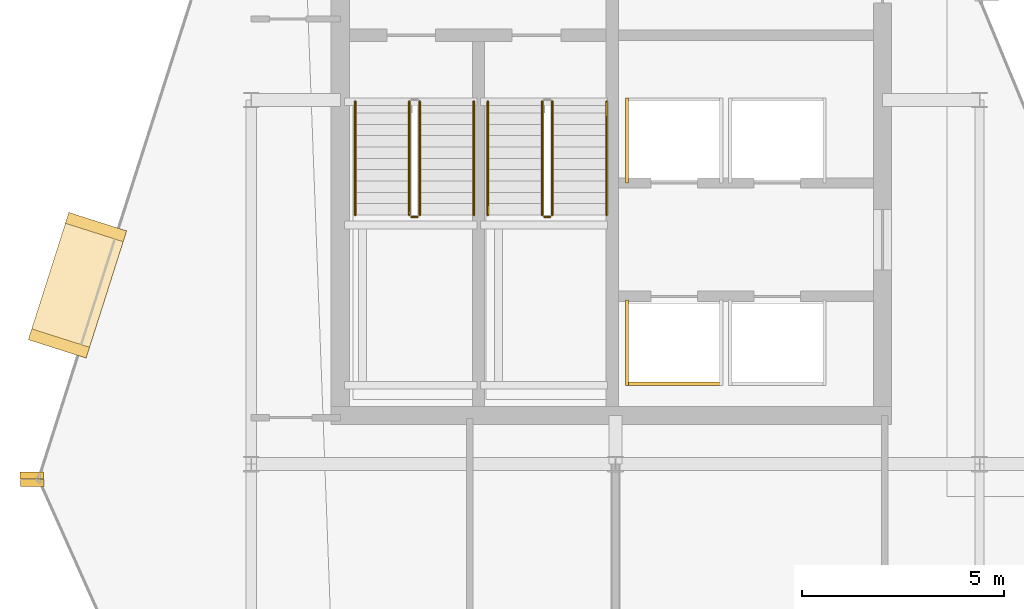
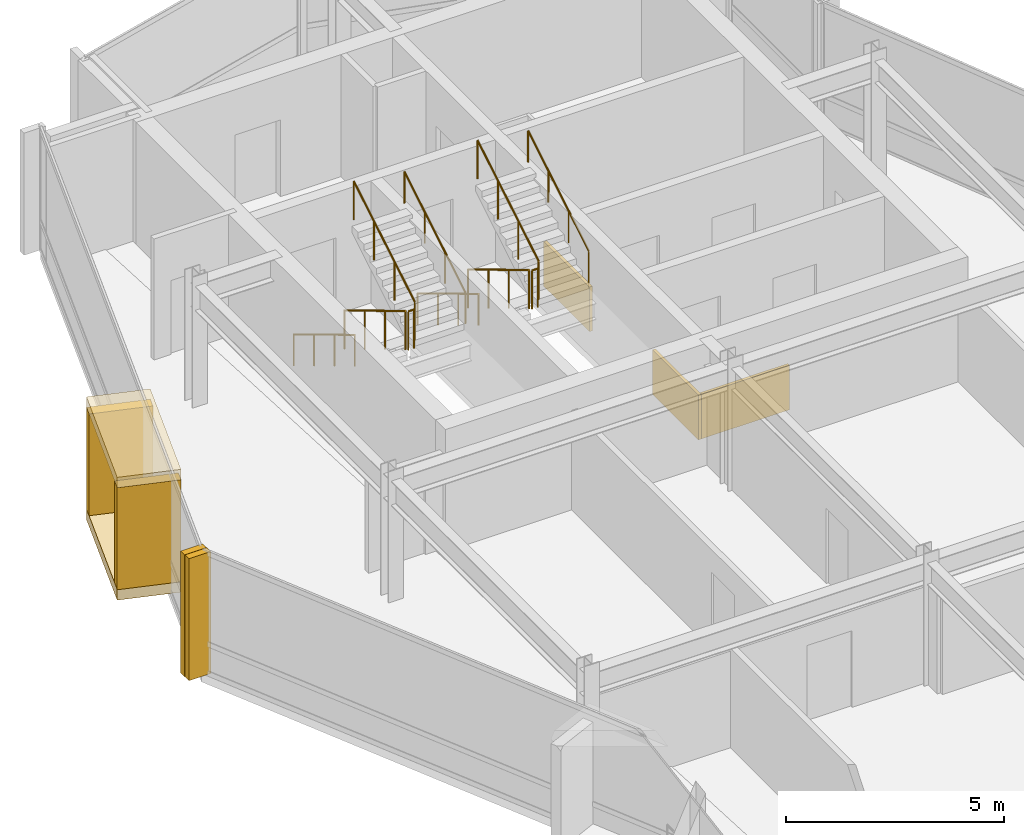
# One storey, part 17 of 19: 10 railings, 9 coverings.
"""IFC4 building model written with IfcOpenShell, lengths in metres."""

import ifcopenshell
import ifcopenshell.guid

model = None  # the IFC model being written
_history = None  # IfcOwnerHistory: only IFC2X3 demands one
_inside = {}  # id of a spatial element -> (the spatial element, [elements in it])
_under = {}  # id of a project, library or spatial element -> (it, [spatial elements below it])
_declared = {}  # id of a project -> (the project, [libraries it declares])
_typed = {}  # id of a type object -> (the type object, [elements of that type])
_made_of = {}  # id of a material, layer set ... -> (it, [elements and type objects made of it])


def new_model(schema):
    """Start an empty IFC model of exactly this schema.

    Asked for "IFC4X3", IfcOpenShell would pick the latest addendum, in which some entities
    have other attributes; the version numbers below select the first issue.
    IFC2X3 requires an IfcOwnerHistory on every rooted entity: one is made here for all.
    """
    global model, _history
    if schema == "IFC4X3":
        model = ifcopenshell.file(schema_version=(4, 3, 0, 0))
    else:
        model = ifcopenshell.file(schema=schema)
    _inside.clear()
    _under.clear()
    _declared.clear()
    _typed.clear()
    _made_of.clear()
    _history = None
    if model.schema == "IFC2X3":
        org = make("IfcOrganization", Name="unknown")
        user = make(
            "IfcPersonAndOrganization",
            ThePerson=make("IfcPerson", FamilyName="unknown"),
            TheOrganization=org,
        )
        app = make(
            "IfcApplication",
            ApplicationDeveloper=org,
            Version="unknown",
            ApplicationFullName="unknown",
            ApplicationIdentifier="unknown",
        )
        _history = make(
            "IfcOwnerHistory",
            OwningUser=user,
            OwningApplication=app,
            ChangeAction="ADDED",
            CreationDate=0,
        )
    return model


def make(cls, **values):
    """One entity of the class cls with the attributes given. An attribute that is None is left unset."""
    return model.create_entity(
        cls, **{name: value for name, value in values.items() if value is not None}
    )


def rooted(cls, **values):
    """An entity with a GlobalId (a new one), such as an element, a storey or a relation."""
    return make(cls, GlobalId=ifcopenshell.guid.new(), OwnerHistory=_history, **values)


def si_unit(unit_type, name, prefix=None):
    """IfcSIUnit, for example si_unit("LENGTHUNIT", "METRE", prefix="MILLI")."""
    return make("IfcSIUnit", UnitType=unit_type, Prefix=prefix, Name=name)


def assignment(units):
    """IfcUnitAssignment: the units of a project."""
    return None if units is None else make("IfcUnitAssignment", Units=units)


def point(xyz):
    """IfcCartesianPoint."""
    return None if xyz is None else make("IfcCartesianPoint", Coordinates=xyz)


def direction(xyz):
    """IfcDirection."""
    return None if xyz is None else make("IfcDirection", DirectionRatios=xyz)


def frame(location, z_axis=None, x_axis=None):
    """IfcAxis2Placement3D, a coordinate frame: its origin and axes. An axis left out is left unset."""
    return make(
        "IfcAxis2Placement3D",
        Location=point(location),
        Axis=direction(z_axis),
        RefDirection=direction(x_axis),
    )


def frame_2d(location, x_axis=None):
    """IfcAxis2Placement2D, a coordinate frame in the plane: its origin and x axis."""
    return make(
        "IfcAxis2Placement2D", Location=point(location), RefDirection=direction(x_axis)
    )


def origin():
    """The frame at (0, 0, 0) with its axes left unset."""
    return frame((0.0, 0.0, 0.0))


def origin_2d():
    """The frame at (0, 0) in the plane with its x axis left unset."""
    return frame_2d((0.0, 0.0))


def place(relative_to, where):
    """IfcLocalPlacement: puts the frame where relative to a parent placement (None: the world)."""
    return make(
        "IfcLocalPlacement", PlacementRelTo=relative_to, RelativePlacement=where
    )


def context(
    kind, dimensions, precision=None, world=None, true_north=None, identifier=None
):
    """IfcGeometricRepresentationContext, for example the 3D "Model" context."""
    return make(
        "IfcGeometricRepresentationContext",
        ContextIdentifier=identifier,
        ContextType=kind,
        CoordinateSpaceDimension=dimensions,
        Precision=precision,
        WorldCoordinateSystem=world,
        TrueNorth=true_north,
    )


def subcontext(parent, identifier, kind, view, scale=None):
    """IfcGeometricRepresentationSubContext, for example "Body" below "Model"."""
    return make(
        "IfcGeometricRepresentationSubContext",
        ContextIdentifier=identifier,
        ContextType=kind,
        ParentContext=parent,
        TargetScale=scale,
        TargetView=view,
    )


def project(units=None, contexts=None):
    """IfcProject with its units and contexts."""
    return rooted(
        "IfcProject",
        Name="project",
        RepresentationContexts=contexts,
        UnitsInContext=assignment(units),
    )


def spatial(cls, under=None, at=None, **own):
    """A site, building, storey or space (cls), placed at a placement, below another one or the project."""
    s = rooted(cls, ObjectPlacement=at, **own)
    if under is not None:
        _under.setdefault(under.id(), (under, []))[1].append(s)
    return s


def profile(cls, at=None, kind="AREA", **sizes):
    """A parametric profile (cls). Its sizes go by their IFC names, for example OverallWidth=200.0."""
    return make(cls, ProfileType=kind, Position=at, **sizes)


def rectangle(**sizes):
    """IfcRectangleProfileDef."""
    return profile("IfcRectangleProfileDef", **sizes)


def circle(**sizes):
    """IfcCircleProfileDef."""
    return profile("IfcCircleProfileDef", **sizes)


def extrude(swept, where, along, depth):
    """IfcExtrudedAreaSolid: the profile swept, set in the frame where, extruded along a direction by depth."""
    return make(
        "IfcExtrudedAreaSolid",
        SweptArea=swept,
        Position=where,
        ExtrudedDirection=direction(along),
        Depth=depth,
    )


def shape(context_of_items, identifier, shape_type, items):
    """IfcShapeRepresentation: the items that make up one representation, for example the "Body"."""
    return make(
        "IfcShapeRepresentation",
        ContextOfItems=context_of_items,
        RepresentationIdentifier=identifier,
        RepresentationType=shape_type,
        Items=items,
    )


def material(Name=None, Category=None):
    """IfcMaterial."""
    return make("IfcMaterial", Name=Name, Category=Category)


def layer(
    of_material, thickness, ventilated=None, Name=None, Category=None, Priority=None
):
    """IfcMaterialLayer: one layer of a wall or slab, of a material (None: an air gap)."""
    return make(
        "IfcMaterialLayer",
        Material=of_material,
        LayerThickness=thickness,
        IsVentilated=ventilated,
        Name=Name,
        Category=Category,
        Priority=Priority,
    )


def layer_set(layers, Name=None):
    """IfcMaterialLayerSet."""
    return make("IfcMaterialLayerSet", MaterialLayers=layers, LayerSetName=Name)


def made_of(thing, what):
    """Note that an element or type object is made of a material, layer set ...; save() writes the relation."""
    if what is not None:
        _made_of.setdefault(what.id(), (what, []))[1].append(thing)
    return thing


def type_object(cls, material=None, **own):
    """A type object (cls), such as IfcWallType, which elements share."""
    return made_of(rooted(cls, **own), material)


def element(
    cls,
    number,
    at=None,
    inside=None,
    cuts=None,
    type_object=None,
    material=None,
    context=None,
    identifier="Body",
    shape_type=None,
    held_by="IfcProductDefinitionShape",
    body=None,
    shapes=None,
    **own,
):
    """One element of the class cls, such as IfcWall. Its Tag is "e" and its number.

    at: its placement. inside: the storey or other place that contains it. cuts: it is an
    opening in that element (IfcRelVoidsElement). A single representation is given by context,
    identifier, shape_type and body (its items); several are given by shapes. held_by: the class
    of the entity that holds the representations. save() writes the other relations.
    """
    e = rooted(cls, Tag="e%d" % number, ObjectPlacement=at, **own)
    if body is not None:
        shapes = [shape(context, identifier, shape_type, body)]
    if shapes is not None:
        e.Representation = make(held_by, Representations=shapes)
    if inside is not None:
        _inside.setdefault(inside.id(), (inside, []))[1].append(e)
    if cuts is not None:
        rooted(
            "IfcRelVoidsElement", RelatingBuildingElement=cuts, RelatedOpeningElement=e
        )
    if type_object is not None:
        _typed.setdefault(type_object.id(), (type_object, []))[1].append(e)
    return made_of(e, material)


def aggregate(whole, parts):
    """IfcRelAggregates: a whole, such as a stair, and the parts it consists of."""
    return rooted("IfcRelAggregates", RelatingObject=whole, RelatedObjects=parts)


def save(model, path):
    """Write the relations noted so far, then the file.

    IfcRelAggregates (storeys below a building ...), IfcRelContainedInSpatialStructure (elements
    in a storey), IfcRelDefinesByType, IfcRelAssociatesMaterial and IfcRelDeclares: one each for
    every whole, place, type object, material and project.
    """
    for whole, parts in _under.values():
        aggregate(whole, parts)
    for where, things in _inside.values():
        rooted(
            "IfcRelContainedInSpatialStructure",
            RelatedElements=things,
            RelatingStructure=where,
        )
    for kind, things in _typed.values():
        rooted("IfcRelDefinesByType", RelatedObjects=things, RelatingType=kind)
    for what, things in _made_of.values():
        rooted("IfcRelAssociatesMaterial", RelatedObjects=things, RelatingMaterial=what)
    for by, libraries in _declared.values():
        rooted("IfcRelDeclares", RelatingContext=by, RelatedDefinitions=libraries)
    model.write(path)


model = new_model("IFC4")

# Units and contexts
model_context = context("Model", 3, precision=1e-05, world=origin(), true_north=direction((0.0, 1.0)))
body_context = subcontext(model_context, "Body", "Model", "MODEL_VIEW")
ifc_project = project(units=[si_unit("LENGTHUNIT", "METRE"), si_unit("AREAUNIT", "SQUARE_METRE"), si_unit("VOLUMEUNIT", "CUBIC_METRE"), si_unit("PLANEANGLEUNIT", "RADIAN"), si_unit("MASSUNIT", "GRAM", prefix="KILO")], contexts=[model_context])

# Site, building, storey
site_placement = place(None, origin())
site = spatial("IfcSite", under=ifc_project, at=site_placement, CompositionType="ELEMENT")
building_placement = place(site_placement, origin())
building = spatial("IfcBuilding", under=site, at=building_placement, Name="Solvaryn Broadcast Tower", CompositionType="ELEMENT")
storey_placement = place(building_placement, frame((0.0, 0.0, 274.10009765625)))
storey = spatial("IfcBuildingStorey", under=building, at=storey_placement, Name="L69", CompositionType="ELEMENT", Elevation=274.10009765625)

# Coverings
ifc_material_1 = material(Name="Fire-Rated Gypsum Shaftwall Liner", Category="concrete")
ifc_layer_1 = layer(ifc_material_1, 0.080078125)
ifc_layer_set_1 = layer_set([ifc_layer_1], Name="CV-SHAFT-LINER")
covering_type_1 = type_object("IfcCoveringType", Name="CV-SHAFT-LINER", PredefinedType="CLADDING", material=ifc_layer_set_1)
covering_placement = place(storey_placement, frame((19.449951171875, 28.985107421875, 0.0), z_axis=(0.0, 0.0, 1.0), x_axis=(1.0, 0.0, 0.0)))
element("IfcCovering", 1, at=covering_placement, inside=storey, type_object=covering_type_1, Name="L69 PH1 Hoistway Shaft Liner South", PredefinedType="CLADDING", context=body_context, shape_type="SweptSolid", body=[
    extrude(rectangle(XDim=2.409912109375, YDim=0.080078125, at=origin_2d()), origin(), (0.0, 0.0, 1.0), 1.25),
])
for number, where, z_axis, x_axis, name in (
    (2, (18.284912109375, 30.0, 0.0), (0.0, 0.0, 1.0), (1.0, 0.0, 0.0), "L69 PH1 Hoistway Shaft Liner West"),
    (3, (18.284912109375, 35.0, 0.0), (0.0, 0.0, 1.0), (1.0, 0.0, 0.0), "L69 PH3 Hoistway Shaft Liner West"),
):
    element("IfcCovering", number, at=place(storey_placement, frame(where, z_axis=z_axis, x_axis=x_axis)), inside=storey, type_object=covering_type_1, Name=name, PredefinedType="CLADDING", context=body_context, shape_type="SweptSolid", body=[
        extrude(rectangle(XDim=0.080078125, YDim=2.110107421875, at=origin_2d()), origin(), (0.0, 0.0, 1.0), 1.25),
    ])
ifc_material_2 = material(Name="Glazed Architectural Terracotta Rainscreen Cladding", Category="masonry")
ifc_layer_2 = layer(ifc_material_2, 0.280029296875)
ifc_layer_set_2 = layer_set([ifc_layer_2], Name="CV-TC-CLAD")
covering_type_2 = type_object("IfcCoveringType", Name="CV-TC-CLAD", PredefinedType="CLADDING", material=ifc_layer_set_2)
for number, where, z_axis, x_axis, name in (
    (4, (4.7060546875, 31.4208984375, 3.1298828125), (0.0, 0.0, 1.0), (-0.303534206887, -0.952820541996, 0.0), "L69 Projecting Stone Window Box Hood 1"),
    (5, (4.7060546875, 31.4208984375, -0.01025390625), (0.0, 0.0, 1.0), (-0.303534206887, -0.952820541996, 0.0), "L69 Projecting Stone Window Box Sill 1"),
):
    element("IfcCovering", number, at=place(storey_placement, frame(where, z_axis=z_axis, x_axis=x_axis)), inside=storey, type_object=covering_type_2, Name=name, PredefinedType="CLADDING", context=body_context, shape_type="SweptSolid", body=[
        extrude(rectangle(XDim=3.300048828125, YDim=1.5, at=origin_2d()), origin(), (0.0, 0.0, 1.0), 0.300048828125),
    ])
for number, where, z_axis, x_axis, name in (
    (6, (5.164306640625, 32.85986328125, 0.27978515625), (0.0, 0.0, 1.0), (-0.303534206887, -0.952820541996, 0.0), "L69 Projecting Stone Window Box Cheek 1-1"),
    (7, (4.247802734375, 29.982177734375, 0.27978515625), (0.0, 0.0, 1.0), (-0.303534206887, -0.952820541996, 0.0), "L69 Projecting Stone Window Box Cheek 1-2"),
):
    element("IfcCovering", number, at=place(storey_placement, frame(where, z_axis=z_axis, x_axis=x_axis)), inside=storey, type_object=covering_type_2, Name=name, PredefinedType="CLADDING", context=body_context, shape_type="SweptSolid", body=[
        extrude(rectangle(XDim=0.280029296875, YDim=1.5, at=origin_2d()), origin(), (0.0, 0.0, 1.0), 2.860107421875),
    ])
ifc_material_3 = material(Name="Extruded Architectural Terracotta Fin", Category="masonry")
ifc_layer_3 = layer(ifc_material_3, 0.179931640625)
ifc_layer_set_3 = layer_set([ifc_layer_3], Name="CV-TC-FIN")
covering_type_3 = type_object("IfcCoveringType", Name="CV-TC-FIN", PredefinedType="USERDEFINED", material=ifc_layer_set_3)
for number, where, z_axis, x_axis, name in (
    (8, (3.575439453125, 26.71923828125, 0.0), (0.0, 0.0, 1.0), (1.0, 0.0, 0.0), "L69 Terracotta Vertical Fin FIN-L69-DR1-M01"),
    (9, (3.5859375, 26.53515625, 0.0), (0.0, 0.0, 1.0), (1.0, 0.0, 0.0), "L69 Terracotta Vertical Fin FIN-L69-DR2-M00"),
):
    element("IfcCovering", number, at=place(storey_placement, frame(where, z_axis=z_axis, x_axis=x_axis)), inside=storey, type_object=covering_type_3, Name=name, ObjectType="FIN", PredefinedType="USERDEFINED", context=body_context, shape_type="SweptSolid", body=[
        extrude(rectangle(XDim=0.580078125, YDim=0.179931640625, at=origin_2d()), origin(), (0.0, 0.0, 1.0), 3.419921875),
    ])

# Railings
ifc_material_4 = material(Name="Painted Steel Stair Well Guard", Category="steel")
railing_type_1 = type_object("IfcRailingType", Name="RL-STAIR-GUARD", PredefinedType="BALUSTRADE", material=ifc_material_4)
railing_1_placement = place(storey_placement, frame((12.909912109375, 35.9599609375, 0.16796875)))
element("IfcRailing", 10, at=railing_1_placement, inside=storey, type_object=railing_type_1, Name="L69 ST1 stair guard 1", PredefinedType="BALUSTRADE", context=body_context, shape_type="SweptSolid", body=[
    extrude(circle(Radius=0.02392578125, at=origin_2d()), frame((0.0, 0.0, 1.076171875), z_axis=(0.0, -0.857242210791, 0.514913383045), x_axis=(1.0, 0.0, 0.0)), (0.0, 0.0, 1.0), 3.266357421875),
    extrude(circle(Radius=0.02099609375, at=origin_2d()), origin(), (0.0, 0.0, 1.0), 1.052001953125),
    extrude(circle(Radius=0.02099609375, at=origin_2d()), frame((0.0, -0.933349609375, 0.560546875)), (0.0, 0.0, 1.0), 1.052001953125),
    extrude(circle(Radius=0.02099609375, at=origin_2d()), frame((0.0, -1.86669921875, 1.121337890625)), (0.0, 0.0, 1.0), 1.052001953125),
    extrude(circle(Radius=0.02099609375, at=origin_2d()), frame((0.0, -2.800048828125, 1.681884765625)), (0.0, 0.0, 1.0), 1.052001953125),
])
railing_2_placement = place(storey_placement, frame((12.9599609375, 33.110107421875, 1.849853515625)))
element("IfcRailing", 11, at=railing_2_placement, inside=storey, type_object=railing_type_1, Name="L69 ST1 stair guard 2", PredefinedType="BALUSTRADE", context=body_context, shape_type="SweptSolid", body=[
    extrude(circle(Radius=0.02392578125, at=origin_2d()), frame((0.0, 0.0, 1.076171875), z_axis=(1.0, 0.0, 0.0), x_axis=(0.0, 1.0, 0.0)), (0.0, 0.0, 1.0), 0.150146484375),
    extrude(circle(Radius=0.02099609375, at=origin_2d()), origin(), (0.0, 0.0, 1.0), 1.052001953125),
    extrude(circle(Radius=0.02099609375, at=origin_2d()), frame((0.150146484375, 0.0, 0.0)), (0.0, 0.0, 1.0), 1.052001953125),
])
railing_3_placement = place(storey_placement, frame((13.159912109375, 33.159912109375, 2.01806640625)))
element("IfcRailing", 12, at=railing_3_placement, inside=storey, type_object=railing_type_1, Name="L69 ST1 stair guard 3", PredefinedType="BALUSTRADE", context=body_context, shape_type="SweptSolid", body=[
    extrude(circle(Radius=0.02392578125, at=origin_2d()), frame((0.0, 0.0, 1.076171875), z_axis=(0.0, 0.857242210791, 0.514913383045), x_axis=(-1.0, 0.0, 0.0)), (0.0, 0.0, 1.0), 3.266357421875),
    extrude(circle(Radius=0.02099609375, at=origin_2d()), origin(), (0.0, 0.0, 1.0), 1.052001953125),
    extrude(circle(Radius=0.02099609375, at=origin_2d()), frame((0.0, 0.933349609375, 0.560546875)), (0.0, 0.0, 1.0), 1.052001953125),
    extrude(circle(Radius=0.02099609375, at=origin_2d()), frame((0.0, 1.86669921875, 1.121337890625)), (0.0, 0.0, 1.0), 1.052001953125),
    extrude(circle(Radius=0.02099609375, at=origin_2d()), frame((0.0, 2.800048828125, 1.681884765625)), (0.0, 0.0, 1.0), 1.052001953125),
])
railing_4_placement = place(storey_placement, frame((16.18994140625, 35.9599609375, 0.16796875)))
element("IfcRailing", 13, at=railing_4_placement, inside=storey, type_object=railing_type_1, Name="L69 ST2 stair guard 1", PredefinedType="BALUSTRADE", context=body_context, shape_type="SweptSolid", body=[
    extrude(circle(Radius=0.02392578125, at=origin_2d()), frame((0.0, 0.0, 1.076171875), z_axis=(0.0, -0.857242210791, 0.514913383045), x_axis=(1.0, 0.0, 0.0)), (0.0, 0.0, 1.0), 3.266357421875),
    extrude(circle(Radius=0.02099609375, at=origin_2d()), origin(), (0.0, 0.0, 1.0), 1.052001953125),
    extrude(circle(Radius=0.02099609375, at=origin_2d()), frame((0.0, -0.933349609375, 0.560546875)), (0.0, 0.0, 1.0), 1.052001953125),
    extrude(circle(Radius=0.02099609375, at=origin_2d()), frame((0.0, -1.86669921875, 1.121337890625)), (0.0, 0.0, 1.0), 1.052001953125),
    extrude(circle(Radius=0.02099609375, at=origin_2d()), frame((0.0, -2.800048828125, 1.681884765625)), (0.0, 0.0, 1.0), 1.052001953125),
])
railing_5_placement = place(storey_placement, frame((16.239990234375, 33.110107421875, 1.849853515625)))
element("IfcRailing", 14, at=railing_5_placement, inside=storey, type_object=railing_type_1, Name="L69 ST2 stair guard 2", PredefinedType="BALUSTRADE", context=body_context, shape_type="SweptSolid", body=[
    extrude(circle(Radius=0.02392578125, at=origin_2d()), frame((0.0, 0.0, 1.076171875), z_axis=(1.0, 0.0, 0.0), x_axis=(0.0, 1.0, 0.0)), (0.0, 0.0, 1.0), 0.14990234375),
    extrude(circle(Radius=0.02099609375, at=origin_2d()), origin(), (0.0, 0.0, 1.0), 1.052001953125),
    extrude(circle(Radius=0.02099609375, at=origin_2d()), frame((0.14990234375, 0.0, 0.0)), (0.0, 0.0, 1.0), 1.052001953125),
])
railing_6_placement = place(storey_placement, frame((16.43994140625, 33.159912109375, 2.01806640625)))
element("IfcRailing", 15, at=railing_6_placement, inside=storey, type_object=railing_type_1, Name="L69 ST2 stair guard 3", PredefinedType="BALUSTRADE", context=body_context, shape_type="SweptSolid", body=[
    extrude(circle(Radius=0.02392578125, at=origin_2d()), frame((0.0, 0.0, 1.076171875), z_axis=(0.0, 0.857242210791, 0.514913383045), x_axis=(-1.0, 0.0, 0.0)), (0.0, 0.0, 1.0), 3.266357421875),
    extrude(circle(Radius=0.02099609375, at=origin_2d()), origin(), (0.0, 0.0, 1.0), 1.052001953125),
    extrude(circle(Radius=0.02099609375, at=origin_2d()), frame((0.0, 0.933349609375, 0.560546875)), (0.0, 0.0, 1.0), 1.052001953125),
    extrude(circle(Radius=0.02099609375, at=origin_2d()), frame((0.0, 1.86669921875, 1.121337890625)), (0.0, 0.0, 1.0), 1.052001953125),
    extrude(circle(Radius=0.02099609375, at=origin_2d()), frame((0.0, 2.800048828125, 1.681884765625)), (0.0, 0.0, 1.0), 1.052001953125),
])
ifc_material_5 = material(Name="Brushed Stainless Steel Tubular Handrail", Category="steel")
railing_type_2 = type_object("IfcRailingType", Name="RL-STAIR-HANDRAIL", PredefinedType="HANDRAIL", material=ifc_material_5)
railing_7_placement = place(storey_placement, frame((11.570068359375, 35.9599609375, 0.16796875)))
element("IfcRailing", 16, at=railing_7_placement, inside=storey, type_object=railing_type_2, Name="L69 ST1 stair handrail 1", PredefinedType="HANDRAIL", context=body_context, shape_type="SweptSolid", body=[
    extrude(circle(Radius=0.02392578125, at=origin_2d()), frame((0.0, 0.0, 0.8759765625), z_axis=(0.0, -0.857242210791, 0.514913383045), x_axis=(1.0, 0.0, 0.0)), (0.0, 0.0, 1.0), 3.266357421875),
    extrude(circle(Radius=0.02099609375, at=origin_2d()), origin(), (0.0, 0.0, 1.0), 0.851806640625),
    extrude(circle(Radius=0.02099609375, at=origin_2d()), frame((0.0, -0.933349609375, 0.560546875)), (0.0, 0.0, 1.0), 0.851806640625),
    extrude(circle(Radius=0.02099609375, at=origin_2d()), frame((0.0, -1.86669921875, 1.121337890625)), (0.0, 0.0, 1.0), 0.851806640625),
    extrude(circle(Radius=0.02099609375, at=origin_2d()), frame((0.0, -2.800048828125, 1.681884765625)), (0.0, 0.0, 1.0), 0.851806640625),
])
railing_8_placement = place(storey_placement, frame((14.5, 33.159912109375, 2.01806640625)))
element("IfcRailing", 17, at=railing_8_placement, inside=storey, type_object=railing_type_2, Name="L69 ST1 stair handrail 2", PredefinedType="HANDRAIL", context=body_context, shape_type="SweptSolid", body=[
    extrude(circle(Radius=0.02392578125, at=origin_2d()), frame((0.0, 0.0, 0.8759765625), z_axis=(0.0, 0.857242210791, 0.514913383045), x_axis=(-1.0, 0.0, 0.0)), (0.0, 0.0, 1.0), 3.266357421875),
    extrude(circle(Radius=0.02099609375, at=origin_2d()), origin(), (0.0, 0.0, 1.0), 0.851806640625),
    extrude(circle(Radius=0.02099609375, at=origin_2d()), frame((0.0, 0.933349609375, 0.560546875)), (0.0, 0.0, 1.0), 0.851806640625),
    extrude(circle(Radius=0.02099609375, at=origin_2d()), frame((0.0, 1.86669921875, 1.121337890625)), (0.0, 0.0, 1.0), 0.851806640625),
    extrude(circle(Radius=0.02099609375, at=origin_2d()), frame((0.0, 2.800048828125, 1.681884765625)), (0.0, 0.0, 1.0), 0.851806640625),
])
railing_9_placement = place(storey_placement, frame((14.85009765625, 35.9599609375, 0.16796875)))
element("IfcRailing", 18, at=railing_9_placement, inside=storey, type_object=railing_type_2, Name="L69 ST2 stair handrail 1", PredefinedType="HANDRAIL", context=body_context, shape_type="SweptSolid", body=[
    extrude(circle(Radius=0.02392578125, at=origin_2d()), frame((0.0, 0.0, 0.8759765625), z_axis=(0.0, -0.857242210791, 0.514913383045), x_axis=(1.0, 0.0, 0.0)), (0.0, 0.0, 1.0), 3.266357421875),
    extrude(circle(Radius=0.02099609375, at=origin_2d()), origin(), (0.0, 0.0, 1.0), 0.851806640625),
    extrude(circle(Radius=0.02099609375, at=origin_2d()), frame((0.0, -0.933349609375, 0.560546875)), (0.0, 0.0, 1.0), 0.851806640625),
    extrude(circle(Radius=0.02099609375, at=origin_2d()), frame((0.0, -1.86669921875, 1.121337890625)), (0.0, 0.0, 1.0), 0.851806640625),
    extrude(circle(Radius=0.02099609375, at=origin_2d()), frame((0.0, -2.800048828125, 1.681884765625)), (0.0, 0.0, 1.0), 0.851806640625),
])
railing_10_placement = place(storey_placement, frame((17.780029296875, 33.159912109375, 2.01806640625)))
element("IfcRailing", 19, at=railing_10_placement, inside=storey, type_object=railing_type_2, Name="L69 ST2 stair handrail 2", PredefinedType="HANDRAIL", context=body_context, shape_type="SweptSolid", body=[
    extrude(circle(Radius=0.02392578125, at=origin_2d()), frame((0.0, 0.0, 0.8759765625), z_axis=(0.0, 0.857242210791, 0.514913383045), x_axis=(-1.0, 0.0, 0.0)), (0.0, 0.0, 1.0), 3.266357421875),
    extrude(circle(Radius=0.02099609375, at=origin_2d()), origin(), (0.0, 0.0, 1.0), 0.851806640625),
    extrude(circle(Radius=0.02099609375, at=origin_2d()), frame((0.0, 0.933349609375, 0.560546875)), (0.0, 0.0, 1.0), 0.851806640625),
    extrude(circle(Radius=0.02099609375, at=origin_2d()), frame((0.0, 1.86669921875, 1.121337890625)), (0.0, 0.0, 1.0), 0.851806640625),
    extrude(circle(Radius=0.02099609375, at=origin_2d()), frame((0.0, 2.800048828125, 1.681884765625)), (0.0, 0.0, 1.0), 0.851806640625),
])

save(model, "model.ifc")
